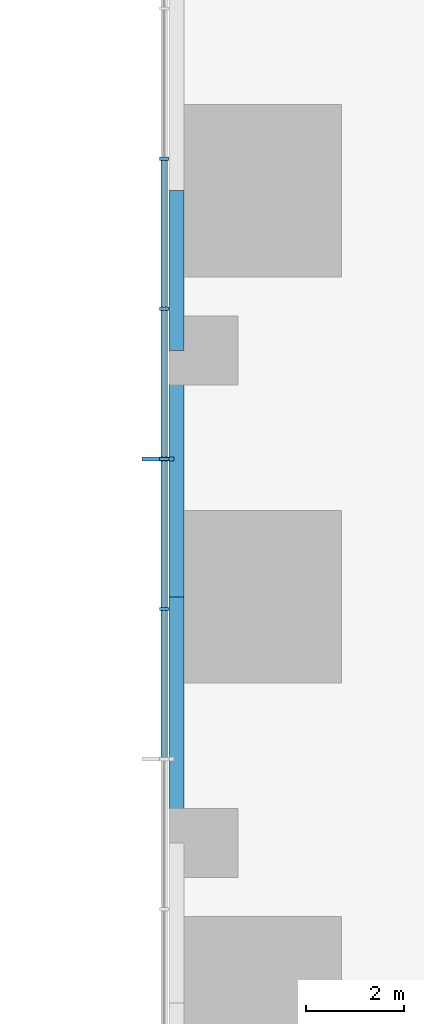
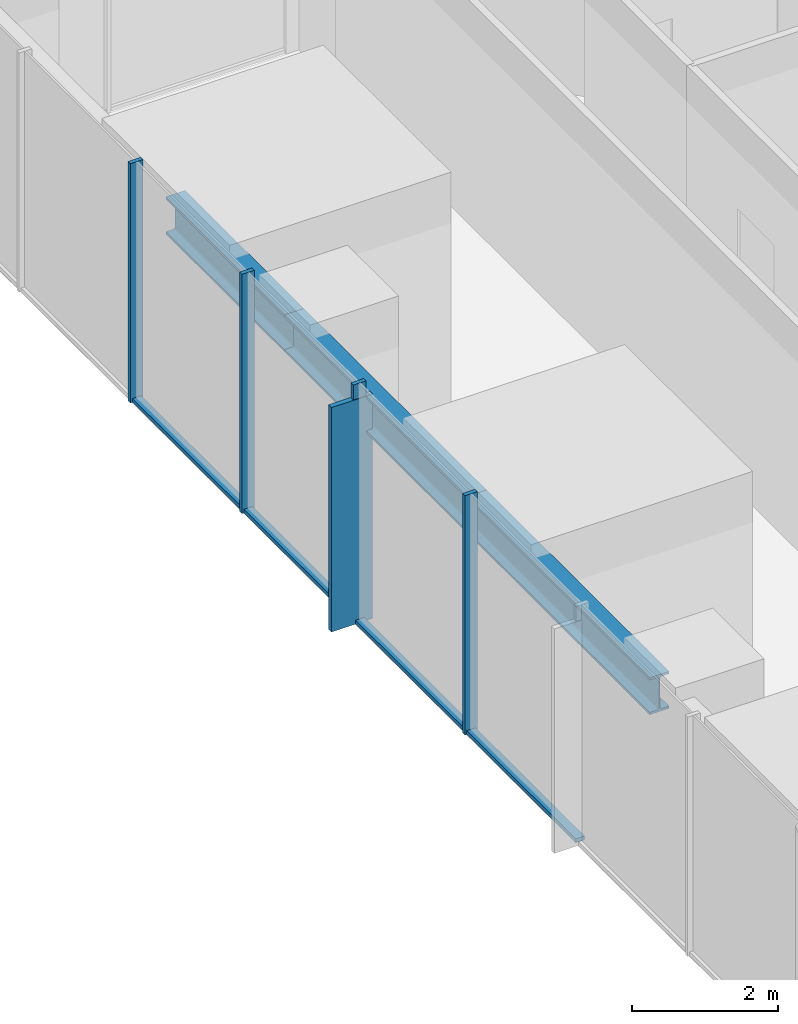
# One storey, part 3 of 17: 9 members, 3 beams, 1 element without a shape of its own.
"""IFC4 building model written with IfcOpenShell, lengths in metres."""

import ifcopenshell
import ifcopenshell.guid

model = None  # the IFC model being written
_history = None  # IfcOwnerHistory: only IFC2X3 demands one
_inside = {}  # id of a spatial element -> (the spatial element, [elements in it])
_under = {}  # id of a project, library or spatial element -> (it, [spatial elements below it])
_declared = {}  # id of a project -> (the project, [libraries it declares])
_typed = {}  # id of a type object -> (the type object, [elements of that type])
_made_of = {}  # id of a material, layer set ... -> (it, [elements and type objects made of it])


def new_model(schema):
    """Start an empty IFC model of exactly this schema.

    Asked for "IFC4X3", IfcOpenShell would pick the latest addendum, in which some entities
    have other attributes; the version numbers below select the first issue.
    IFC2X3 requires an IfcOwnerHistory on every rooted entity: one is made here for all.
    """
    global model, _history
    if schema == "IFC4X3":
        model = ifcopenshell.file(schema_version=(4, 3, 0, 0))
    else:
        model = ifcopenshell.file(schema=schema)
    _inside.clear()
    _under.clear()
    _declared.clear()
    _typed.clear()
    _made_of.clear()
    _history = None
    if model.schema == "IFC2X3":
        org = make("IfcOrganization", Name="unknown")
        user = make(
            "IfcPersonAndOrganization",
            ThePerson=make("IfcPerson", FamilyName="unknown"),
            TheOrganization=org,
        )
        app = make(
            "IfcApplication",
            ApplicationDeveloper=org,
            Version="unknown",
            ApplicationFullName="unknown",
            ApplicationIdentifier="unknown",
        )
        _history = make(
            "IfcOwnerHistory",
            OwningUser=user,
            OwningApplication=app,
            ChangeAction="ADDED",
            CreationDate=0,
        )
    return model


def make(cls, **values):
    """One entity of the class cls with the attributes given. An attribute that is None is left unset."""
    return model.create_entity(
        cls, **{name: value for name, value in values.items() if value is not None}
    )


def rooted(cls, **values):
    """An entity with a GlobalId (a new one), such as an element, a storey or a relation."""
    return make(cls, GlobalId=ifcopenshell.guid.new(), OwnerHistory=_history, **values)


def si_unit(unit_type, name, prefix=None):
    """IfcSIUnit, for example si_unit("LENGTHUNIT", "METRE", prefix="MILLI")."""
    return make("IfcSIUnit", UnitType=unit_type, Prefix=prefix, Name=name)


def assignment(units):
    """IfcUnitAssignment: the units of a project."""
    return None if units is None else make("IfcUnitAssignment", Units=units)


def point(xyz):
    """IfcCartesianPoint."""
    return None if xyz is None else make("IfcCartesianPoint", Coordinates=xyz)


def direction(xyz):
    """IfcDirection."""
    return None if xyz is None else make("IfcDirection", DirectionRatios=xyz)


def frame(location, z_axis=None, x_axis=None):
    """IfcAxis2Placement3D, a coordinate frame: its origin and axes. An axis left out is left unset."""
    return make(
        "IfcAxis2Placement3D",
        Location=point(location),
        Axis=direction(z_axis),
        RefDirection=direction(x_axis),
    )


def frame_2d(location, x_axis=None):
    """IfcAxis2Placement2D, a coordinate frame in the plane: its origin and x axis."""
    return make(
        "IfcAxis2Placement2D", Location=point(location), RefDirection=direction(x_axis)
    )


def origin():
    """The frame at (0, 0, 0) with its axes left unset."""
    return frame((0.0, 0.0, 0.0))


def origin_2d():
    """The frame at (0, 0) in the plane with its x axis left unset."""
    return frame_2d((0.0, 0.0))


def place(relative_to, where):
    """IfcLocalPlacement: puts the frame where relative to a parent placement (None: the world)."""
    return make(
        "IfcLocalPlacement", PlacementRelTo=relative_to, RelativePlacement=where
    )


def context(
    kind, dimensions, precision=None, world=None, true_north=None, identifier=None
):
    """IfcGeometricRepresentationContext, for example the 3D "Model" context."""
    return make(
        "IfcGeometricRepresentationContext",
        ContextIdentifier=identifier,
        ContextType=kind,
        CoordinateSpaceDimension=dimensions,
        Precision=precision,
        WorldCoordinateSystem=world,
        TrueNorth=true_north,
    )


def subcontext(parent, identifier, kind, view, scale=None):
    """IfcGeometricRepresentationSubContext, for example "Body" below "Model"."""
    return make(
        "IfcGeometricRepresentationSubContext",
        ContextIdentifier=identifier,
        ContextType=kind,
        ParentContext=parent,
        TargetScale=scale,
        TargetView=view,
    )


def project(units=None, contexts=None):
    """IfcProject with its units and contexts."""
    return rooted(
        "IfcProject",
        Name="project",
        RepresentationContexts=contexts,
        UnitsInContext=assignment(units),
    )


def spatial(cls, under=None, at=None, **own):
    """A site, building, storey or space (cls), placed at a placement, below another one or the project."""
    s = rooted(cls, ObjectPlacement=at, **own)
    if under is not None:
        _under.setdefault(under.id(), (under, []))[1].append(s)
    return s


def profile(cls, at=None, kind="AREA", **sizes):
    """A parametric profile (cls). Its sizes go by their IFC names, for example OverallWidth=200.0."""
    return make(cls, ProfileType=kind, Position=at, **sizes)


def rectangle(**sizes):
    """IfcRectangleProfileDef."""
    return profile("IfcRectangleProfileDef", **sizes)


def i_section(**sizes):
    """IfcIShapeProfileDef."""
    return profile("IfcIShapeProfileDef", **sizes)


def extrude(swept, where, along, depth):
    """IfcExtrudedAreaSolid: the profile swept, set in the frame where, extruded along a direction by depth."""
    return make(
        "IfcExtrudedAreaSolid",
        SweptArea=swept,
        Position=where,
        ExtrudedDirection=direction(along),
        Depth=depth,
    )


def shape(context_of_items, identifier, shape_type, items):
    """IfcShapeRepresentation: the items that make up one representation, for example the "Body"."""
    return make(
        "IfcShapeRepresentation",
        ContextOfItems=context_of_items,
        RepresentationIdentifier=identifier,
        RepresentationType=shape_type,
        Items=items,
    )


def material(Name=None, Category=None):
    """IfcMaterial."""
    return make("IfcMaterial", Name=Name, Category=Category)


def material_profile(
    of_material, cross_section, Name=None, Category=None, Priority=None
):
    """IfcMaterialProfile: a cross section and its material."""
    return make(
        "IfcMaterialProfile",
        Name=Name,
        Material=of_material,
        Profile=cross_section,
        Priority=Priority,
        Category=Category,
    )


def profile_set(profiles, Name=None, composite=None):
    """IfcMaterialProfileSet."""
    return make(
        "IfcMaterialProfileSet",
        Name=Name,
        MaterialProfiles=profiles,
        CompositeProfile=composite,
    )


def made_of(thing, what):
    """Note that an element or type object is made of a material, layer set ...; save() writes the relation."""
    if what is not None:
        _made_of.setdefault(what.id(), (what, []))[1].append(thing)
    return thing


def type_object(cls, material=None, **own):
    """A type object (cls), such as IfcWallType, which elements share."""
    return made_of(rooted(cls, **own), material)


def element(
    cls,
    number,
    at=None,
    inside=None,
    cuts=None,
    type_object=None,
    material=None,
    context=None,
    identifier="Body",
    shape_type=None,
    held_by="IfcProductDefinitionShape",
    body=None,
    shapes=None,
    **own,
):
    """One element of the class cls, such as IfcWall. Its Tag is "e" and its number.

    at: its placement. inside: the storey or other place that contains it. cuts: it is an
    opening in that element (IfcRelVoidsElement). A single representation is given by context,
    identifier, shape_type and body (its items); several are given by shapes. held_by: the class
    of the entity that holds the representations. save() writes the other relations.
    """
    e = rooted(cls, Tag="e%d" % number, ObjectPlacement=at, **own)
    if body is not None:
        shapes = [shape(context, identifier, shape_type, body)]
    if shapes is not None:
        e.Representation = make(held_by, Representations=shapes)
    if inside is not None:
        _inside.setdefault(inside.id(), (inside, []))[1].append(e)
    if cuts is not None:
        rooted(
            "IfcRelVoidsElement", RelatingBuildingElement=cuts, RelatedOpeningElement=e
        )
    if type_object is not None:
        _typed.setdefault(type_object.id(), (type_object, []))[1].append(e)
    return made_of(e, material)


def aggregate(whole, parts):
    """IfcRelAggregates: a whole, such as a stair, and the parts it consists of."""
    return rooted("IfcRelAggregates", RelatingObject=whole, RelatedObjects=parts)


def save(model, path):
    """Write the relations noted so far, then the file.

    IfcRelAggregates (storeys below a building ...), IfcRelContainedInSpatialStructure (elements
    in a storey), IfcRelDefinesByType, IfcRelAssociatesMaterial and IfcRelDeclares: one each for
    every whole, place, type object, material and project.
    """
    for whole, parts in _under.values():
        aggregate(whole, parts)
    for where, things in _inside.values():
        rooted(
            "IfcRelContainedInSpatialStructure",
            RelatedElements=things,
            RelatingStructure=where,
        )
    for kind, things in _typed.values():
        rooted("IfcRelDefinesByType", RelatedObjects=things, RelatingType=kind)
    for what, things in _made_of.values():
        rooted("IfcRelAssociatesMaterial", RelatedObjects=things, RelatingMaterial=what)
    for by, libraries in _declared.values():
        rooted("IfcRelDeclares", RelatingContext=by, RelatedDefinitions=libraries)
    model.write(path)


model = new_model("IFC4")

# Units and contexts
model_context = context("Model", 3, precision=1e-05, world=origin(), true_north=direction((0.0, 1.0)))
body_context = subcontext(model_context, "Body", "Model", "MODEL_VIEW")
ifc_project = project(units=[si_unit("LENGTHUNIT", "METRE"), si_unit("AREAUNIT", "SQUARE_METRE"), si_unit("VOLUMEUNIT", "CUBIC_METRE"), si_unit("PLANEANGLEUNIT", "RADIAN"), si_unit("MASSUNIT", "GRAM", prefix="KILO")], contexts=[model_context])

# Site, building, storey
site_placement = place(None, origin())
site = spatial("IfcSite", under=ifc_project, at=site_placement, CompositionType="ELEMENT")
building_placement = place(site_placement, origin())
building = spatial("IfcBuilding", under=site, at=building_placement, Name="Svetlomir Tower", CompositionType="ELEMENT")
storey_placement = place(building_placement, frame((0.0, 0.0, 62.5)))
storey = spatial("IfcBuildingStorey", under=building, at=storey_placement, Name="L14", CompositionType="ELEMENT", Elevation=62.5)

# Curtain wall, members
ifc_material_1 = material(Name="Bronze anodised aluminium curtain wall", Category="aluminium")
curtain_wall_type = type_object("IfcCurtainWallType", Name="CURTAIN WALL CW1 TOWER OFFICE", PredefinedType="NOTDEFINED", material=ifc_material_1)
curtain_wall_placement = place(storey_placement, origin())
curtain_wall = element("IfcCurtainWall", 1, at=curtain_wall_placement, inside=storey, type_object=curtain_wall_type, Name="Curtain wall CW1 L14", PredefinedType="NOTDEFINED")
ifc_material_2 = material(Name="Bronze anodised aluminium", Category="aluminium")
ifc_material_profile_1 = material_profile(ifc_material_2, rectangle(XDim=0.080078125, YDim=0.64990234375, at=origin_2d()), Name="FIN 80x650")
ifc_profile_set_1 = profile_set([ifc_material_profile_1], Name="Bronze anodised aluminium 6063-T6")
member_type_1 = type_object("IfcMemberType", Name="BRONZE FIN 80x650", PredefinedType="USERDEFINED", material=ifc_profile_set_1)
member_1_placement = place(storey_placement, frame((-0.22509765625, 23.800048828125, 0.0), z_axis=(0.0, 0.0, 1.0), x_axis=(0.0, 1.0, 0.0)))
member_1 = element("IfcMember", 2, at=member_1_placement, type_object=member_type_1, Name="Bronze fin L14", ObjectType="FIN", PredefinedType="USERDEFINED", context=body_context, shape_type="SweptSolid", body=[
    extrude(rectangle(XDim=0.080078125, YDim=0.64990234375, at=origin_2d()), origin(), (0.0, 0.0, 1.0), 3.75),
])
ifc_material_3 = material(Name="Bronze anodised aluminium", Category="aluminium")
ifc_material_profile_2 = material_profile(ifc_material_3, rectangle(XDim=0.06494140625, YDim=0.199951171875, at=origin_2d()), Name="AL 65x200")
ifc_profile_set_2 = profile_set([ifc_material_profile_2], Name="Bronze anodised aluminium 6063-T6")
member_type_2 = type_object("IfcMemberType", Name="CW1 MULLION 65x200", PredefinedType="MULLION", material=ifc_profile_set_2)
member_2_placement = place(storey_placement, frame((-0.10009765625, 29.89990234375, 0.0), z_axis=(0.0, 0.0, 1.0), x_axis=(0.0, -1.0, 0.0)))
member_2 = element("IfcMember", 3, at=member_2_placement, type_object=member_type_2, Name="CW1 mullion 3", PredefinedType="MULLION", context=body_context, shape_type="SweptSolid", body=[
    extrude(rectangle(XDim=0.06494140625, YDim=0.199951171875, at=origin_2d()), origin(), (0.0, 0.0, 1.0), 4.0),
])
member_3_placement = place(storey_placement, frame((-0.10009765625, 26.85009765625, 0.0), z_axis=(0.0, 0.0, 1.0), x_axis=(0.0, -1.0, 0.0)))
member_3 = element("IfcMember", 4, at=member_3_placement, type_object=member_type_2, Name="CW1 mullion 4", PredefinedType="MULLION", context=body_context, shape_type="SweptSolid", body=[
    extrude(rectangle(XDim=0.06494140625, YDim=0.199951171875, at=origin_2d()), origin(), (0.0, 0.0, 1.0), 4.0),
])
member_4_placement = place(storey_placement, frame((-0.10009765625, 23.800048828125, 0.0), z_axis=(0.0, 0.0, 1.0), x_axis=(0.0, -1.0, 0.0)))
member_4 = element("IfcMember", 5, at=member_4_placement, type_object=member_type_2, Name="CW1 mullion 5", PredefinedType="MULLION", context=body_context, shape_type="SweptSolid", body=[
    extrude(rectangle(XDim=0.06494140625, YDim=0.199951171875, at=origin_2d()), origin(), (0.0, 0.0, 1.0), 4.0),
])
member_5_placement = place(storey_placement, frame((-0.10009765625, 20.75, 0.0), z_axis=(0.0, 0.0, 1.0), x_axis=(0.0, -1.0, 0.0)))
member_5 = element("IfcMember", 6, at=member_5_placement, type_object=member_type_2, Name="CW1 mullion 6", PredefinedType="MULLION", context=body_context, shape_type="SweptSolid", body=[
    extrude(rectangle(XDim=0.06494140625, YDim=0.199951171875, at=origin_2d()), origin(), (0.0, 0.0, 1.0), 4.0),
])
ifc_material_4 = material(Name="Bronze anodised aluminium", Category="aluminium")
ifc_material_profile_3 = material_profile(ifc_material_4, rectangle(XDim=0.139892578125, YDim=0.06494140625, at=origin_2d()), Name="AL 140x65")
ifc_profile_set_3 = profile_set([ifc_material_profile_3], Name="Bronze anodised aluminium 6063-T6")
member_type_3 = type_object("IfcMemberType", Name="CW1 TRANSOM 65x140", PredefinedType="USERDEFINED", material=ifc_profile_set_3)
member_6_placement = place(storey_placement, frame((-0.10009765625, 29.867431640625, 0.032470703125), z_axis=(0.0, -1.0, 0.0), x_axis=(1.0, 0.0, 0.0)))
member_6 = element("IfcMember", 7, at=member_6_placement, type_object=member_type_3, Name="CW1 transom 3.1", ObjectType="TRANSOM", PredefinedType="USERDEFINED", context=body_context, shape_type="SweptSolid", body=[
    extrude(rectangle(XDim=0.139892578125, YDim=0.06494140625, at=origin_2d()), origin(), (0.0, 0.0, 1.0), 2.98486328125),
])
member_7_placement = place(storey_placement, frame((-0.10009765625, 26.8173828125, 0.032470703125), z_axis=(0.0, -1.0, 0.0), x_axis=(1.0, 0.0, 0.0)))
member_7 = element("IfcMember", 8, at=member_7_placement, type_object=member_type_3, Name="CW1 transom 4.1", ObjectType="TRANSOM", PredefinedType="USERDEFINED", context=body_context, shape_type="SweptSolid", body=[
    extrude(rectangle(XDim=0.139892578125, YDim=0.06494140625, at=origin_2d()), origin(), (0.0, 0.0, 1.0), 2.98486328125),
])
member_8_placement = place(storey_placement, frame((-0.10009765625, 23.767578125, 0.032470703125), z_axis=(0.0, -1.0, 0.0), x_axis=(1.0, 0.0, 0.0)))
member_8 = element("IfcMember", 9, at=member_8_placement, type_object=member_type_3, Name="CW1 transom 5.1", ObjectType="TRANSOM", PredefinedType="USERDEFINED", context=body_context, shape_type="SweptSolid", body=[
    extrude(rectangle(XDim=0.139892578125, YDim=0.06494140625, at=origin_2d()), origin(), (0.0, 0.0, 1.0), 2.985107421875),
])
member_9_placement = place(storey_placement, frame((-0.10009765625, 20.717529296875, 0.032470703125), z_axis=(0.0, -1.0, 0.0), x_axis=(1.0, 0.0, 0.0)))
member_9 = element("IfcMember", 10, at=member_9_placement, type_object=member_type_3, Name="CW1 transom 6.1", ObjectType="TRANSOM", PredefinedType="USERDEFINED", context=body_context, shape_type="SweptSolid", body=[
    extrude(rectangle(XDim=0.139892578125, YDim=0.06494140625, at=origin_2d()), origin(), (0.0, 0.0, 1.0), 2.985107421875),
])
aggregate(curtain_wall, [member_2, member_3, member_4, member_5, member_6, member_7, member_8, member_9, member_1])

# Beams
ifc_material_5 = material(Name="Steel S355", Category="steel")
ifc_material_profile_4 = material_profile(ifc_material_5, i_section(OverallWidth=0.304931640625, OverallDepth=0.6201171875, WebThickness=0.02099609375, FlangeThickness=0.0400390625, FilletRadius=0.027099609375, at=origin_2d()), Name="HEM 600")
ifc_profile_set_4 = profile_set([ifc_material_profile_4], Name="Steel S355")
beam_type = type_object("IfcBeamType", Name="EDGE BEAM HEM 600", PredefinedType="SPANDREL", material=ifc_profile_set_4)
for number, where, z_axis, x_axis, name in (
    (11, (0.152587890625, 16.0, 3.43994140625), (0.0, 1.0, 0.0), (-1.0, 0.0, 0.0), "Edge beam 0/16 to 0/21 under L15"),
    (12, (0.152587890625, 21.0, 3.43994140625), (0.0, 1.0, 0.0), (-1.0, 0.0, 0.0), "Edge beam 0/21 to 0/26 under L15"),
):
    element("IfcBeam", number, at=place(storey_placement, frame(where, z_axis=z_axis, x_axis=x_axis)), inside=storey, type_object=beam_type, Name=name, PredefinedType="SPANDREL", context=body_context, shape_type="SweptSolid", body=[
        extrude(i_section(OverallWidth=0.304931640625, OverallDepth=0.6201171875, WebThickness=0.02099609375, FlangeThickness=0.0400390625, FilletRadius=0.027099609375, at=origin_2d()), origin(), (0.0, 0.0, 1.0), 5.0),
    ])
beam_placement = place(storey_placement, frame((0.152587890625, 26.0, 3.43994140625), z_axis=(0.0, 1.0, 0.0), x_axis=(-1.0, 0.0, 0.0)))
element("IfcBeam", 13, at=beam_placement, inside=storey, type_object=beam_type, Name="Edge beam 0/26 to 0/31 under L15", PredefinedType="SPANDREL", context=body_context, shape_type="SweptSolid", body=[
    extrude(i_section(OverallWidth=0.304931640625, OverallDepth=0.6201171875, WebThickness=0.02099609375, FlangeThickness=0.0400390625, FilletRadius=0.027099609375, at=origin_2d()), origin(), (0.0, 0.0, 1.0), 3.25),
])

save(model, "model.ifc")
